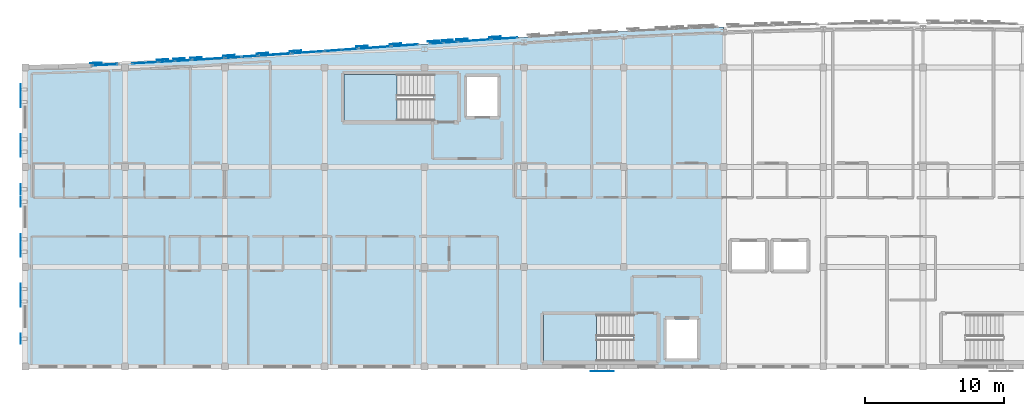
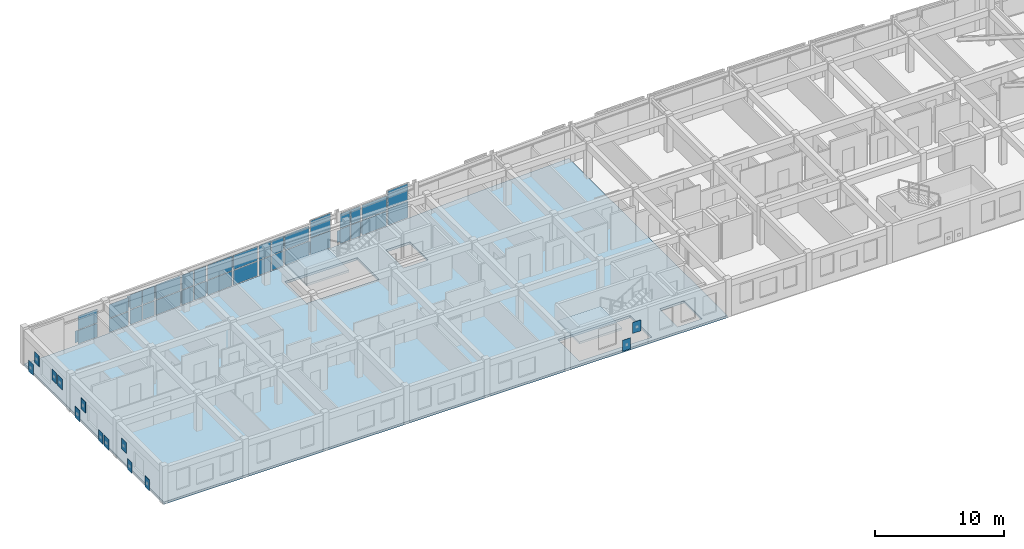
# One storey, part 22 of 34: 60 plates, 3 slabs, 15 elements without a shape of their own.
"""IFC4 building model written with IfcOpenShell, lengths in metres."""

from ifc_helpers import new_model, si_unit, direction, frame, origin, origin_2d, place, context, subcontext, project, spatial, polyline, rectangle, outline, extrude, material, layer, layer_set, type_object, element, aggregate, save


model = new_model("IFC4")

# Units and contexts
model_context = context("Model", 3, precision=1e-05, world=origin(), true_north=direction((0.0, 1.0)))
body_context = subcontext(model_context, "Body", "Model", "MODEL_VIEW")
ifc_project = project(units=[si_unit("LENGTHUNIT", "METRE"), si_unit("AREAUNIT", "SQUARE_METRE"), si_unit("VOLUMEUNIT", "CUBIC_METRE"), si_unit("PLANEANGLEUNIT", "RADIAN"), si_unit("MASSUNIT", "GRAM", prefix="KILO")], contexts=[model_context])

# Site, building, storey
site_placement = place(None, origin())
site = spatial("IfcSite", under=ifc_project, at=site_placement, CompositionType="ELEMENT")
building_placement = place(site_placement, origin())
building = spatial("IfcBuilding", under=site, at=building_placement, Name="Carrowvane Square Congress Hotel", CompositionType="ELEMENT")
storey_placement = place(building_placement, frame((0.0, 0.0, 40.800048828125)))
storey = spatial("IfcBuildingStorey", under=building, at=storey_placement, Name="L10", CompositionType="ELEMENT", Elevation=40.800048828125)

# Curtain wall, plates
ifc_material_1 = material(Name="Anodised aluminium", Category="aluminium")
ifc_layer_1 = layer(ifc_material_1, 0.23388671875)
ifc_layer_set_1 = layer_set([ifc_layer_1], Name="Anodised aluminium")
curtain_wall_type_1 = type_object("IfcCurtainWallType", Name="CW-SYS-7", PredefinedType="NOTDEFINED", material=ifc_layer_set_1)
curtain_wall_1_placement = place(storey_placement, origin())
curtain_wall_1 = element("IfcCurtainWall", 1, at=curtain_wall_1_placement, inside=storey, type_object=curtain_wall_type_1, Name="L10 unitised curtain wall 550", PredefinedType="NOTDEFINED")
ifc_material_2 = material(Name="Double-glazed low-E glass", Category="glass")
ifc_layer_2 = layer(ifc_material_2, 0.028076171875)
ifc_layer_set_2 = layer_set([ifc_layer_2], Name="Double-glazed low-E glass")
plate_type_1 = type_object("IfcPlateType", Name="CW-PAN-1", PredefinedType="CURTAIN_PANEL", material=ifc_layer_set_2)
plate_1_placement = place(storey_placement, frame((41.83154296875, 113.7294921875, 0.06005859375), z_axis=(0.0, 0.0, 1.0), x_axis=(0.998567109091, 0.053513817306, 0.0)))
plate_1 = element("IfcPlate", 2, at=plate_1_placement, type_object=plate_type_1, Name="CW-7 panel 1.1", PredefinedType="CURTAIN_PANEL", context=body_context, shape_type="SweptSolid", body=[
    extrude(rectangle(XDim=1.819580078125, YDim=0.028076171875, at=origin_2d()), origin(), (0.0, 0.0, 1.0), 1.29248046875),
])
plate_2_placement = place(storey_placement, frame((41.83154296875, 113.7294921875, 1.412353515625), z_axis=(0.0, 0.0, 1.0), x_axis=(0.998567109091, 0.053513817306, 0.0)))
plate_2 = element("IfcPlate", 3, at=plate_2_placement, type_object=plate_type_1, Name="CW-7 panel 1.2", PredefinedType="CURTAIN_PANEL", context=body_context, shape_type="SweptSolid", body=[
    extrude(rectangle(XDim=1.819580078125, YDim=0.028076171875, at=origin_2d()), origin(), (0.0, 0.0, 1.0), 1.29248046875),
])
aggregate(curtain_wall_1, [plate_1, plate_2])

ifc_material_3 = material(Name="Anodised aluminium", Category="aluminium")
ifc_layer_3 = layer(ifc_material_3, 0.197998046875)
ifc_layer_set_3 = layer_set([ifc_layer_3], Name="Anodised aluminium")
curtain_wall_type_2 = type_object("IfcCurtainWallType", Name="CW-SYS-4", PredefinedType="NOTDEFINED", material=ifc_layer_set_3)
curtain_wall_2_placement = place(storey_placement, origin())
curtain_wall_2 = element("IfcCurtainWall", 4, at=curtain_wall_2_placement, inside=storey, type_object=curtain_wall_type_2, Name="L10 unitised curtain wall 555", PredefinedType="NOTDEFINED")
plate_3_placement = place(storey_placement, frame((53.60009765625, 114.486328125, 0.06982421875), z_axis=(0.0, 0.0, 1.0), x_axis=(0.997505697746, 0.070585996942, 0.0)))
plate_3 = element("IfcPlate", 5, at=plate_3_placement, type_object=plate_type_1, Name="CW-4 panel 1.1", PredefinedType="CURTAIN_PANEL", context=body_context, shape_type="SweptSolid", body=[
    extrude(rectangle(XDim=2.26611328125, YDim=0.028076171875, at=origin_2d()), origin(), (0.0, 0.0, 1.0), 1.372802734375),
])
plate_4_placement = place(storey_placement, frame((53.60009765625, 114.486328125, 1.5126953125), z_axis=(0.0, 0.0, 1.0), x_axis=(0.997505697746, 0.070585996942, 0.0)))
plate_4 = element("IfcPlate", 6, at=plate_4_placement, type_object=plate_type_1, Name="CW-4 panel 1.2", PredefinedType="CURTAIN_PANEL", context=body_context, shape_type="SweptSolid", body=[
    extrude(rectangle(XDim=2.26611328125, YDim=0.028076171875, at=origin_2d()), origin(), (0.0, 0.0, 1.0), 1.372802734375),
])
aggregate(curtain_wall_2, [plate_3, plate_4])

ifc_material_4 = material(Name="Anodised aluminium", Category="aluminium")
ifc_layer_4 = layer(ifc_material_4, 0.162109375)
ifc_layer_set_4 = layer_set([ifc_layer_4], Name="Anodised aluminium")
curtain_wall_type_3 = type_object("IfcCurtainWallType", Name="CW-SYS-1", PredefinedType="NOTDEFINED", material=ifc_layer_set_4)
curtain_wall_3_placement = place(storey_placement, origin())
curtain_wall_3 = element("IfcCurtainWall", 7, at=curtain_wall_3_placement, inside=storey, type_object=curtain_wall_type_3, Name="L10 unitised curtain wall 560", PredefinedType="NOTDEFINED")
plate_5_placement = place(storey_placement, frame((65.599853515625, 115.33544921875, 0.06005859375), z_axis=(0.0, 0.0, 1.0), x_axis=(0.997694484404, 0.067865424104, 0.0)))
plate_5 = element("IfcPlate", 8, at=plate_5_placement, type_object=plate_type_1, Name="CW-1 panel 1.1", PredefinedType="CURTAIN_PANEL", context=body_context, shape_type="SweptSolid", body=[
    extrude(rectangle(XDim=2.285400390625, YDim=0.028076171875, at=origin_2d()), origin(), (0.0, 0.0, 1.0), 1.3876953125),
])
plate_6_placement = place(storey_placement, frame((65.599853515625, 115.33544921875, 1.5078125), z_axis=(0.0, 0.0, 1.0), x_axis=(0.997694484404, 0.067865424104, 0.0)))
plate_6 = element("IfcPlate", 9, at=plate_6_placement, type_object=plate_type_1, Name="CW-1 panel 1.2", PredefinedType="CURTAIN_PANEL", context=body_context, shape_type="SweptSolid", body=[
    extrude(rectangle(XDim=2.285400390625, YDim=0.028076171875, at=origin_2d()), origin(), (0.0, 0.0, 1.0), 1.3876953125),
])
aggregate(curtain_wall_3, [plate_5, plate_6])

ifc_material_5 = material(Name="Anodised aluminium", Category="aluminium")
ifc_layer_5 = layer(ifc_material_5, 0.24609375)
ifc_layer_set_5 = layer_set([ifc_layer_5], Name="Anodised aluminium")
curtain_wall_type_4 = type_object("IfcCurtainWallType", Name="CW-SYS-8", PredefinedType="NOTDEFINED", material=ifc_layer_set_5)
curtain_wall_4_placement = place(storey_placement, origin())
curtain_wall_4 = element("IfcCurtainWall", 10, at=curtain_wall_4_placement, inside=storey, type_object=curtain_wall_type_4, Name="L10 unitised curtain wall 551", PredefinedType="NOTDEFINED")
ifc_material_6 = material(Name="Double-glazed low-E glass", Category="glass")
ifc_layer_6 = layer(ifc_material_6, 0.031982421875)
ifc_layer_set_6 = layer_set([ifc_layer_6], Name="Double-glazed low-E glass")
plate_type_2 = type_object("IfcPlateType", Name="CW-PAN-2", PredefinedType="CURTAIN_PANEL", material=ifc_layer_set_6)
plate_7_placement = place(storey_placement, frame((43.41748046875, 113.81787109375, 0.06982421875), z_axis=(0.0, 0.0, 1.0), x_axis=(0.99825866099, 0.058988522254, 0.0)))
plate_7 = element("IfcPlate", 11, at=plate_7_placement, type_object=plate_type_2, Name="CW-8 panel 1.1", PredefinedType="CURTAIN_PANEL", context=body_context, shape_type="SweptSolid", body=[
    extrude(rectangle(XDim=1.09716796875, YDim=0.031982421875, at=origin_2d()), origin(), (0.0, 0.0, 1.0), 1.372802734375),
])
plate_8_placement = place(storey_placement, frame((43.41748046875, 113.81787109375, 1.5126953125), z_axis=(0.0, 0.0, 1.0), x_axis=(0.99825866099, 0.058988522254, 0.0)))
plate_8 = element("IfcPlate", 12, at=plate_8_placement, type_object=plate_type_2, Name="CW-8 panel 1.2", PredefinedType="CURTAIN_PANEL", context=body_context, shape_type="SweptSolid", body=[
    extrude(rectangle(XDim=1.09716796875, YDim=0.031982421875, at=origin_2d()), origin(), (0.0, 0.0, 1.0), 1.372802734375),
])
plate_9_placement = place(storey_placement, frame((44.58251953125, 113.88671875, 0.06982421875), z_axis=(0.0, 0.0, 1.0), x_axis=(0.99825866099, 0.058988522254, 0.0)))
plate_9 = element("IfcPlate", 13, at=plate_9_placement, type_object=plate_type_2, Name="CW-8 panel 2.1", PredefinedType="CURTAIN_PANEL", context=body_context, shape_type="SweptSolid", body=[
    extrude(rectangle(XDim=1.09716796875, YDim=0.031982421875, at=origin_2d()), origin(), (0.0, 0.0, 1.0), 1.372802734375),
])
plate_10_placement = place(storey_placement, frame((44.58251953125, 113.88671875, 1.5126953125), z_axis=(0.0, 0.0, 1.0), x_axis=(0.99825866099, 0.058988522254, 0.0)))
plate_10 = element("IfcPlate", 14, at=plate_10_placement, type_object=plate_type_2, Name="CW-8 panel 2.2", PredefinedType="CURTAIN_PANEL", context=body_context, shape_type="SweptSolid", body=[
    extrude(rectangle(XDim=1.09716796875, YDim=0.031982421875, at=origin_2d()), origin(), (0.0, 0.0, 1.0), 1.372802734375),
])
aggregate(curtain_wall_4, [plate_7, plate_8, plate_9, plate_10])

ifc_material_7 = material(Name="Anodised aluminium", Category="aluminium")
ifc_layer_7 = layer(ifc_material_7, 0.2099609375)
ifc_layer_set_7 = layer_set([ifc_layer_7], Name="Anodised aluminium")
curtain_wall_type_5 = type_object("IfcCurtainWallType", Name="CW-SYS-5", PredefinedType="NOTDEFINED", material=ifc_layer_set_7)
curtain_wall_5_placement = place(storey_placement, origin())
curtain_wall_5 = element("IfcCurtainWall", 15, at=curtain_wall_5_placement, inside=storey, type_object=curtain_wall_type_5, Name="L10 unitised curtain wall 556", PredefinedType="NOTDEFINED")
plate_11_placement = place(storey_placement, frame((55.4150390625, 114.615234375, 0.06005859375), z_axis=(0.0, 0.0, 1.0), x_axis=(0.997446448898, 0.071418356042, 0.0)))
plate_11 = element("IfcPlate", 16, at=plate_11_placement, type_object=plate_type_2, Name="CW-5 panel 1.1", PredefinedType="CURTAIN_PANEL", context=body_context, shape_type="SweptSolid", body=[
    extrude(rectangle(XDim=1.113037109375, YDim=0.031982421875, at=origin_2d()), origin(), (0.0, 0.0, 1.0), 1.3876953125),
])
plate_12_placement = place(storey_placement, frame((55.4150390625, 114.615234375, 1.5078125), z_axis=(0.0, 0.0, 1.0), x_axis=(0.997446448898, 0.071418356042, 0.0)))
plate_12 = element("IfcPlate", 17, at=plate_12_placement, type_object=plate_type_2, Name="CW-5 panel 1.2", PredefinedType="CURTAIN_PANEL", context=body_context, shape_type="SweptSolid", body=[
    extrude(rectangle(XDim=1.113037109375, YDim=0.031982421875, at=origin_2d()), origin(), (0.0, 0.0, 1.0), 1.3876953125),
])
plate_13_placement = place(storey_placement, frame((56.5849609375, 114.698974609375, 0.06005859375), z_axis=(0.0, 0.0, 1.0), x_axis=(0.997446448898, 0.071418356042, 0.0)))
plate_13 = element("IfcPlate", 18, at=plate_13_placement, type_object=plate_type_2, Name="CW-5 panel 2.1", PredefinedType="CURTAIN_PANEL", context=body_context, shape_type="SweptSolid", body=[
    extrude(rectangle(XDim=1.113037109375, YDim=0.031982421875, at=origin_2d()), origin(), (0.0, 0.0, 1.0), 1.3876953125),
])
plate_14_placement = place(storey_placement, frame((56.5849609375, 114.698974609375, 1.5078125), z_axis=(0.0, 0.0, 1.0), x_axis=(0.997446448898, 0.071418356042, 0.0)))
plate_14 = element("IfcPlate", 19, at=plate_14_placement, type_object=plate_type_2, Name="CW-5 panel 2.2", PredefinedType="CURTAIN_PANEL", context=body_context, shape_type="SweptSolid", body=[
    extrude(rectangle(XDim=1.113037109375, YDim=0.031982421875, at=origin_2d()), origin(), (0.0, 0.0, 1.0), 1.3876953125),
])
aggregate(curtain_wall_5, [plate_11, plate_12, plate_13, plate_14])

ifc_material_8 = material(Name="Anodised aluminium", Category="aluminium")
ifc_layer_8 = layer(ifc_material_8, 0.174072265625)
ifc_layer_set_8 = layer_set([ifc_layer_8], Name="Anodised aluminium")
curtain_wall_type_6 = type_object("IfcCurtainWallType", Name="CW-SYS-2", PredefinedType="NOTDEFINED", material=ifc_layer_set_8)
curtain_wall_6_placement = place(storey_placement, origin())
curtain_wall_6 = element("IfcCurtainWall", 20, at=curtain_wall_6_placement, inside=storey, type_object=curtain_wall_type_6, Name="L10 unitised curtain wall 561", PredefinedType="NOTDEFINED")
plate_15_placement = place(storey_placement, frame((67.795654296875, 115.482177734375, 0.070068359375), z_axis=(0.0, 0.0, 1.0), x_axis=(0.997858327155, 0.065412223074, 0.0)))
plate_15 = element("IfcPlate", 21, at=plate_15_placement, type_object=plate_type_2, Name="CW-2 panel 1.1", PredefinedType="CURTAIN_PANEL", context=body_context, shape_type="SweptSolid", body=[
    extrude(rectangle(XDim=1.855712890625, YDim=0.031982421875, at=origin_2d()), origin(), (0.0, 0.0, 1.0), 1.5849609375),
])
plate_16_placement = place(storey_placement, frame((67.795654296875, 115.482177734375, 1.724853515625), z_axis=(0.0, 0.0, 1.0), x_axis=(0.997858327155, 0.065412223074, 0.0)))
plate_16 = element("IfcPlate", 22, at=plate_16_placement, type_object=plate_type_2, Name="CW-2 panel 1.2", PredefinedType="CURTAIN_PANEL", context=body_context, shape_type="SweptSolid", body=[
    extrude(rectangle(XDim=1.855712890625, YDim=0.031982421875, at=origin_2d()), origin(), (0.0, 0.0, 1.0), 1.5849609375),
])
aggregate(curtain_wall_6, [plate_15, plate_16])

curtain_wall_7_placement = place(storey_placement, origin())
curtain_wall_7 = element("IfcCurtainWall", 23, at=curtain_wall_7_placement, inside=storey, type_object=curtain_wall_type_3, Name="L10 unitised curtain wall 552", PredefinedType="NOTDEFINED")
ifc_material_9 = material(Name="Double-glazed low-E glass", Category="glass")
ifc_layer_9 = layer(ifc_material_9, 0.035888671875)
ifc_layer_set_9 = layer_set([ifc_layer_9], Name="Double-glazed low-E glass")
plate_type_3 = type_object("IfcPlateType", Name="CW-PAN-3", PredefinedType="CURTAIN_PANEL", material=ifc_layer_set_9)
plate_17_placement = place(storey_placement, frame((46.39990234375, 113.999267578125, 0.06005859375), z_axis=(0.0, 0.0, 1.0), x_axis=(0.997996225303, 0.063273487972, 0.0)))
plate_17 = element("IfcPlate", 24, at=plate_17_placement, type_object=plate_type_3, Name="CW-1 panel 1.1", PredefinedType="CURTAIN_PANEL", context=body_context, shape_type="SweptSolid", body=[
    extrude(rectangle(XDim=2.284912109375, YDim=0.035888671875, at=origin_2d()), origin(), (0.0, 0.0, 1.0), 1.3876953125),
])
plate_18_placement = place(storey_placement, frame((46.39990234375, 113.999267578125, 1.5078125), z_axis=(0.0, 0.0, 1.0), x_axis=(0.997996225303, 0.063273487972, 0.0)))
plate_18 = element("IfcPlate", 25, at=plate_18_placement, type_object=plate_type_3, Name="CW-1 panel 1.2", PredefinedType="CURTAIN_PANEL", context=body_context, shape_type="SweptSolid", body=[
    extrude(rectangle(XDim=2.284912109375, YDim=0.035888671875, at=origin_2d()), origin(), (0.0, 0.0, 1.0), 1.3876953125),
])
aggregate(curtain_wall_7, [plate_17, plate_18])

ifc_material_10 = material(Name="Anodised aluminium", Category="aluminium")
ifc_layer_10 = layer(ifc_material_10, 0.221923828125)
ifc_layer_set_10 = layer_set([ifc_layer_10], Name="Anodised aluminium")
curtain_wall_type_7 = type_object("IfcCurtainWallType", Name="CW-SYS-6", PredefinedType="NOTDEFINED", material=ifc_layer_set_10)
curtain_wall_8_placement = place(storey_placement, origin())
curtain_wall_8 = element("IfcCurtainWall", 26, at=curtain_wall_8_placement, inside=storey, type_object=curtain_wall_type_7, Name="L10 unitised curtain wall 557", PredefinedType="NOTDEFINED")
plate_19_placement = place(storey_placement, frame((58.39990234375, 114.8291015625, 0.06982421875), z_axis=(0.0, 0.0, 1.0), x_axis=(0.997438322595, 0.071531759512, 0.0)))
plate_19 = element("IfcPlate", 27, at=plate_19_placement, type_object=plate_type_3, Name="CW-6 panel 1.1", PredefinedType="CURTAIN_PANEL", context=body_context, shape_type="SweptSolid", body=[
    extrude(rectangle(XDim=2.26611328125, YDim=0.035888671875, at=origin_2d()), origin(), (0.0, 0.0, 1.0), 1.372802734375),
])
plate_20_placement = place(storey_placement, frame((58.39990234375, 114.8291015625, 1.5126953125), z_axis=(0.0, 0.0, 1.0), x_axis=(0.997438322595, 0.071531759512, 0.0)))
plate_20 = element("IfcPlate", 28, at=plate_20_placement, type_object=plate_type_3, Name="CW-6 panel 1.2", PredefinedType="CURTAIN_PANEL", context=body_context, shape_type="SweptSolid", body=[
    extrude(rectangle(XDim=2.26611328125, YDim=0.035888671875, at=origin_2d()), origin(), (0.0, 0.0, 1.0), 1.372802734375),
])
aggregate(curtain_wall_8, [plate_19, plate_20])

curtain_wall_9_placement = place(storey_placement, origin())
curtain_wall_9 = element("IfcCurtainWall", 29, at=curtain_wall_9_placement, inside=storey, type_object=curtain_wall_type_6, Name="L10 unitised curtain wall 553", PredefinedType="NOTDEFINED")
ifc_material_11 = material(Name="Double-glazed low-E glass", Category="glass")
ifc_layer_11 = layer(ifc_material_11, 0.0419921875)
ifc_layer_set_11 = layer_set([ifc_layer_11], Name="Double-glazed low-E glass")
plate_type_4 = type_object("IfcPlateType", Name="CW-PAN-4", PredefinedType="CURTAIN_PANEL", material=ifc_layer_set_11)
plate_21_placement = place(storey_placement, frame((48.217529296875, 114.116455078125, 0.06982421875), z_axis=(0.0, 0.0, 1.0), x_axis=(0.99778121937, 0.066578061501, 0.0)))
plate_21 = element("IfcPlate", 30, at=plate_21_placement, type_object=plate_type_4, Name="CW-2 panel 1.1", PredefinedType="CURTAIN_PANEL", context=body_context, shape_type="SweptSolid", body=[
    extrude(rectangle(XDim=1.09765625, YDim=0.0419921875, at=origin_2d()), origin(), (0.0, 0.0, 1.0), 1.372802734375),
])
plate_22_placement = place(storey_placement, frame((48.217529296875, 114.116455078125, 1.5126953125), z_axis=(0.0, 0.0, 1.0), x_axis=(0.99778121937, 0.066578061501, 0.0)))
plate_22 = element("IfcPlate", 31, at=plate_22_placement, type_object=plate_type_4, Name="CW-2 panel 1.2", PredefinedType="CURTAIN_PANEL", context=body_context, shape_type="SweptSolid", body=[
    extrude(rectangle(XDim=1.09765625, YDim=0.0419921875, at=origin_2d()), origin(), (0.0, 0.0, 1.0), 1.372802734375),
])
plate_23_placement = place(storey_placement, frame((49.382568359375, 114.1943359375, 0.06982421875), z_axis=(0.0, 0.0, 1.0), x_axis=(0.99778121937, 0.066578061501, 0.0)))
plate_23 = element("IfcPlate", 32, at=plate_23_placement, type_object=plate_type_4, Name="CW-2 panel 2.1", PredefinedType="CURTAIN_PANEL", context=body_context, shape_type="SweptSolid", body=[
    extrude(rectangle(XDim=1.09765625, YDim=0.0419921875, at=origin_2d()), origin(), (0.0, 0.0, 1.0), 1.372802734375),
])
plate_24_placement = place(storey_placement, frame((49.382568359375, 114.1943359375, 1.5126953125), z_axis=(0.0, 0.0, 1.0), x_axis=(0.99778121937, 0.066578061501, 0.0)))
plate_24 = element("IfcPlate", 33, at=plate_24_placement, type_object=plate_type_4, Name="CW-2 panel 2.2", PredefinedType="CURTAIN_PANEL", context=body_context, shape_type="SweptSolid", body=[
    extrude(rectangle(XDim=1.09765625, YDim=0.0419921875, at=origin_2d()), origin(), (0.0, 0.0, 1.0), 1.372802734375),
])
aggregate(curtain_wall_9, [plate_21, plate_22, plate_23, plate_24])

curtain_wall_10_placement = place(storey_placement, origin())
curtain_wall_10 = element("IfcCurtainWall", 34, at=curtain_wall_10_placement, inside=storey, type_object=curtain_wall_type_1, Name="L10 unitised curtain wall 558", PredefinedType="NOTDEFINED")
plate_25_placement = place(storey_placement, frame((60.5947265625, 114.986083984375, 0.059814453125), z_axis=(0.0, 0.0, 1.0), x_axis=(0.997479146426, 0.070960217342, 0.0)))
plate_25 = element("IfcPlate", 35, at=plate_25_placement, type_object=plate_type_4, Name="CW-7 panel 1.1", PredefinedType="CURTAIN_PANEL", context=body_context, shape_type="SweptSolid", body=[
    extrude(rectangle(XDim=1.87451171875, YDim=0.0419921875, at=origin_2d()), origin(), (0.0, 0.0, 1.0), 1.60009765625),
])
plate_26_placement = place(storey_placement, frame((60.5947265625, 114.986083984375, 1.719970703125), z_axis=(0.0, 0.0, 1.0), x_axis=(0.997479146426, 0.070960217342, 0.0)))
plate_26 = element("IfcPlate", 36, at=plate_26_placement, type_object=plate_type_4, Name="CW-7 panel 1.2", PredefinedType="CURTAIN_PANEL", context=body_context, shape_type="SweptSolid", body=[
    extrude(rectangle(XDim=1.87451171875, YDim=0.0419921875, at=origin_2d()), origin(), (0.0, 0.0, 1.0), 1.60009765625),
])
aggregate(curtain_wall_10, [plate_25, plate_26])

curtain_wall_11_placement = place(storey_placement, origin())
curtain_wall_11 = element("IfcCurtainWall", 37, at=curtain_wall_11_placement, inside=storey, type_object=curtain_wall_type_7, Name="L10 unitised curtain wall 549", PredefinedType="NOTDEFINED")
ifc_material_12 = material(Name="Double-glazed low-E glass", Category="glass")
ifc_layer_12 = layer(ifc_material_12, 0.048095703125)
ifc_layer_set_12 = layer_set([ifc_layer_12], Name="Double-glazed low-E glass")
plate_type_5 = type_object("IfcPlateType", Name="CW-PAN-5", PredefinedType="CURTAIN_PANEL", material=ifc_layer_set_12)
plate_27_placement = place(storey_placement, frame((38.955810546875, 113.58544921875, 0.06982421875), z_axis=(0.0, 0.0, 1.0), x_axis=(0.998917263935, 0.046522035775, 0.0)))
plate_27 = element("IfcPlate", 38, at=plate_27_placement, type_object=plate_type_5, Name="CW-6 panel 1.1", PredefinedType="CURTAIN_PANEL", context=body_context, shape_type="SweptSolid", body=[
    extrude(rectangle(XDim=1.7734375, YDim=0.048095703125, at=origin_2d()), origin(), (0.0, 0.0, 1.0), 1.277587890625),
])
plate_28_placement = place(storey_placement, frame((38.955810546875, 113.58544921875, 1.41748046875), z_axis=(0.0, 0.0, 1.0), x_axis=(0.998917263935, 0.046522035775, 0.0)))
plate_28 = element("IfcPlate", 39, at=plate_28_placement, type_object=plate_type_5, Name="CW-6 panel 1.2", PredefinedType="CURTAIN_PANEL", context=body_context, shape_type="SweptSolid", body=[
    extrude(rectangle(XDim=1.7734375, YDim=0.048095703125, at=origin_2d()), origin(), (0.0, 0.0, 1.0), 1.277587890625),
])
aggregate(curtain_wall_11, [plate_27, plate_28])

ifc_material_13 = material(Name="Anodised aluminium", Category="aluminium")
ifc_layer_13 = layer(ifc_material_13, 0.18603515625)
ifc_layer_set_13 = layer_set([ifc_layer_13], Name="Anodised aluminium")
curtain_wall_type_8 = type_object("IfcCurtainWallType", Name="CW-SYS-3", PredefinedType="NOTDEFINED", material=ifc_layer_set_13)
curtain_wall_12_placement = place(storey_placement, origin())
curtain_wall_12 = element("IfcCurtainWall", 40, at=curtain_wall_12_placement, inside=storey, type_object=curtain_wall_type_8, Name="L10 unitised curtain wall 554", PredefinedType="NOTDEFINED")
plate_29_placement = place(storey_placement, frame((51.199951171875, 114.318359375, 0.06005859375), z_axis=(0.0, 0.0, 1.0), x_axis=(0.997617619706, 0.068986120725, 0.0)))
plate_29 = element("IfcPlate", 41, at=plate_29_placement, type_object=plate_type_5, Name="CW-3 panel 1.1", PredefinedType="CURTAIN_PANEL", context=body_context, shape_type="SweptSolid", body=[
    extrude(rectangle(XDim=2.28564453125, YDim=0.048095703125, at=origin_2d()), origin(), (0.0, 0.0, 1.0), 1.3876953125),
])
plate_30_placement = place(storey_placement, frame((51.199951171875, 114.318359375, 1.5078125), z_axis=(0.0, 0.0, 1.0), x_axis=(0.997617619706, 0.068986120725, 0.0)))
plate_30 = element("IfcPlate", 42, at=plate_30_placement, type_object=plate_type_5, Name="CW-3 panel 1.2", PredefinedType="CURTAIN_PANEL", context=body_context, shape_type="SweptSolid", body=[
    extrude(rectangle(XDim=2.28564453125, YDim=0.048095703125, at=origin_2d()), origin(), (0.0, 0.0, 1.0), 1.3876953125),
])
aggregate(curtain_wall_12, [plate_29, plate_30])

curtain_wall_13_placement = place(storey_placement, origin())
curtain_wall_13 = element("IfcCurtainWall", 43, at=curtain_wall_13_placement, inside=storey, type_object=curtain_wall_type_4, Name="L10 unitised curtain wall 559", PredefinedType="NOTDEFINED")
plate_31_placement = place(storey_placement, frame((62.885498046875, 115.14794921875, 0.06982421875), z_axis=(0.0, 0.0, 1.0), x_axis=(0.997566332949, 0.069723822092, 0.0)))
plate_31 = element("IfcPlate", 44, at=plate_31_placement, type_object=plate_type_5, Name="CW-8 panel 1.1", PredefinedType="CURTAIN_PANEL", context=body_context, shape_type="SweptSolid", body=[
    extrude(rectangle(XDim=0.9189453125, YDim=0.048095703125, at=origin_2d()), origin(), (0.0, 0.0, 1.0), 1.372802734375),
])
plate_32_placement = place(storey_placement, frame((62.885498046875, 115.14794921875, 1.5126953125), z_axis=(0.0, 0.0, 1.0), x_axis=(0.997566332949, 0.069723822092, 0.0)))
plate_32 = element("IfcPlate", 45, at=plate_32_placement, type_object=plate_type_5, Name="CW-8 panel 1.2", PredefinedType="CURTAIN_PANEL", context=body_context, shape_type="SweptSolid", body=[
    extrude(rectangle(XDim=0.9189453125, YDim=0.048095703125, at=origin_2d()), origin(), (0.0, 0.0, 1.0), 1.372802734375),
])
plate_33_placement = place(storey_placement, frame((63.871826171875, 115.216796875, 0.06982421875), z_axis=(0.0, 0.0, 1.0), x_axis=(0.997566332949, 0.069723822092, 0.0)))
plate_33 = element("IfcPlate", 46, at=plate_33_placement, type_object=plate_type_5, Name="CW-8 panel 2.1", PredefinedType="CURTAIN_PANEL", context=body_context, shape_type="SweptSolid", body=[
    extrude(rectangle(XDim=0.9189453125, YDim=0.048095703125, at=origin_2d()), origin(), (0.0, 0.0, 1.0), 1.372802734375),
])
plate_34_placement = place(storey_placement, frame((63.871826171875, 115.216796875, 1.5126953125), z_axis=(0.0, 0.0, 1.0), x_axis=(0.997566332949, 0.069723822092, 0.0)))
plate_34 = element("IfcPlate", 47, at=plate_34_placement, type_object=plate_type_5, Name="CW-8 panel 2.2", PredefinedType="CURTAIN_PANEL", context=body_context, shape_type="SweptSolid", body=[
    extrude(rectangle(XDim=0.9189453125, YDim=0.048095703125, at=origin_2d()), origin(), (0.0, 0.0, 1.0), 1.372802734375),
])
aggregate(curtain_wall_13, [plate_31, plate_32, plate_33, plate_34])

# Plates
ifc_material_14 = material(Name="Champagne-gold anodised aluminium", Category="aluminium")
ifc_layer_14 = layer(ifc_material_14, 0.011962890625)
ifc_layer_set_14 = layer_set([ifc_layer_14], Name="Champagne-gold anodised aluminium")
plate_type_6 = type_object("IfcPlateType", Name="PLT-PIX-GOLD12", PredefinedType="SHEET", material=ifc_layer_set_14)
for number, where, z_axis, x_axis, name in (
    (48, (38.316650390625, 113.721923828125, 0.119873046875), (0.0, 0.0, 1.0), (0.99891730083, 0.046521243556, 0.0), "Champagne-gold pixel screen plate 931"),
    (49, (43.114501953125, 113.96630859375, 1.58984375), (0.0, 0.0, 1.0), (0.998258866948, 0.05898503675, 0.0), "Champagne-gold pixel screen plate 932"),
    (50, (44.279541015625, 114.03515625, 1.58984375), (0.0, 0.0, 1.0), (0.998258866948, 0.05898503675, 0.0), "Champagne-gold pixel screen plate 933"),
    (51, (47.9130859375, 114.2626953125, 0.119873046875), (0.0, 0.0, 1.0), (0.997781458784, 0.066574473385, 0.0), "Champagne-gold pixel screen plate 935"),
    (52, (52.712158203125, 114.58984375, 1.58984375), (0.0, 0.0, 1.0), (0.997505756275, 0.070585169822, 0.0), "Champagne-gold pixel screen plate 937"),
    (53, (57.51220703125, 114.931884765625, 1.58984375), (0.0, 0.0, 1.0), (0.997438267187, 0.071532532122, 0.0), "Champagne-gold pixel screen plate 938"),
    (54, (62.669677734375, 115.299072265625, 0.119873046875), (0.0, 0.0, 1.0), (0.997566258056, 0.069724893606, 0.0), "Champagne-gold pixel screen plate 940"),
    (55, (63.65625, 115.3681640625, 1.58984375), (0.0, 0.0, 1.0), (0.997566258056, 0.069724893606, 0.0), "Champagne-gold pixel screen plate 941"),
    (56, (67.11328125, 115.603759765625, 1.58984375), (0.0, 0.0, 1.0), (0.99785825325, 0.065413350476, 0.0), "Champagne-gold pixel screen plate 943"),
):
    element("IfcPlate", number, at=place(storey_placement, frame(where, z_axis=z_axis, x_axis=x_axis)), inside=storey, type_object=plate_type_6, Name=name, PredefinedType="SHEET", context=body_context, shape_type="SweptSolid", body=[
        extrude(rectangle(XDim=0.827880859375, YDim=0.011962890625, at=origin_2d()), origin(), (0.0, 0.0, 1.0), 1.1201171875),
    ])
for number, where, z_axis, x_axis, name in (
    (57, (75.300048828125, 91.468994140625, 1.52490234375), (0.0, 0.0, 1.0), (-1.0, 0.0, 0.0), "Champagne-gold pixel screen plate S-989"),
    (58, (74.39990234375, 91.468994140625, 0.15478515625), (0.0, 0.0, 1.0), (-1.0, 0.0, 0.0), "Champagne-gold pixel screen plate S-990"),
    (59, (32.868896484375, 93.800048828125, 0.15478515625), (0.0, 0.0, 1.0), (0.0, 1.0, 0.0), "Champagne-gold pixel screen plate S-991"),
    (60, (32.868896484375, 96.5, 0.15478515625), (0.0, 0.0, 1.0), (0.0, 1.0, 0.0), "Champagne-gold pixel screen plate S-992"),
    (61, (32.868896484375, 97.39990234375, 1.52490234375), (0.0, 0.0, 1.0), (0.0, 1.0, 0.0), "Champagne-gold pixel screen plate S-993"),
    (62, (32.868896484375, 107.300048828125, 1.52490234375), (0.0, 0.0, 1.0), (0.0, 1.0, 0.0), "Champagne-gold pixel screen plate S-998"),
    (63, (32.868896484375, 108.199951171875, 1.52490234375), (0.0, 0.0, 1.0), (0.0, 1.0, 0.0), "Champagne-gold pixel screen plate S-999"),
    (64, (32.868896484375, 110.89990234375, 1.52490234375), (0.0, 0.0, 1.0), (0.0, 1.0, 0.0), "Champagne-gold pixel screen plate S-1000"),
    (65, (32.868896484375, 111.800048828125, 0.15478515625), (0.0, 0.0, 1.0), (0.0, 1.0, 0.0), "Champagne-gold pixel screen plate S-1001"),
):
    element("IfcPlate", number, at=place(storey_placement, frame(where, z_axis=z_axis, x_axis=x_axis)), inside=storey, type_object=plate_type_6, Name=name, PredefinedType="SHEET", context=body_context, shape_type="SweptSolid", body=[
        extrude(rectangle(XDim=0.738037109375, YDim=0.011962890625, at=origin_2d()), origin(), (0.0, 0.0, 1.0), 1.050048828125),
    ])
ifc_material_15 = material(Name="Champagne-gold anodised aluminium", Category="aluminium")
ifc_layer_15 = layer(ifc_material_15, 0.008056640625)
ifc_layer_set_15 = layer_set([ifc_layer_15], Name="Champagne-gold anodised aluminium")
plate_type_7 = type_object("IfcPlateType", Name="PLT-PIX-GOLD8", PredefinedType="SHEET", material=ifc_layer_set_15)
for number, where, z_axis, x_axis, name in (
    (66, (45.5087890625, 114.107177734375, 1.58984375), (0.0, 0.0, 1.0), (0.997996022269, 0.063276690295, 0.0), "Champagne-gold pixel screen plate 934"),
    (67, (50.3076171875, 114.421142578125, 0.119873046875), (0.0, 0.0, 1.0), (0.99761759323, 0.068986503591, 0.0), "Champagne-gold pixel screen plate 936"),
    (68, (59.907470703125, 115.1015625, 0.119873046875), (0.0, 0.0, 1.0), (0.997479379392, 0.070956942496, 0.0), "Champagne-gold pixel screen plate 939"),
    (69, (64.7080078125, 115.43896484375, 0.119873046875), (0.0, 0.0, 1.0), (0.9976944394, 0.067866085713, 0.0), "Champagne-gold pixel screen plate 942"),
):
    element("IfcPlate", number, at=place(storey_placement, frame(where, z_axis=z_axis, x_axis=x_axis)), inside=storey, type_object=plate_type_7, Name=name, PredefinedType="SHEET", context=body_context, shape_type="SweptSolid", body=[
        extrude(rectangle(XDim=0.827880859375, YDim=0.008056640625, at=origin_2d()), origin(), (0.0, 0.0, 1.0), 1.1201171875),
    ])
for number, where, z_axis, x_axis, name in (
    (70, (32.87109375, 100.10009765625, 0.15478515625), (0.0, 0.0, 1.0), (0.0, 1.0, 0.0), "Champagne-gold pixel screen plate S-994"),
    (71, (32.87109375, 101.0, 0.15478515625), (0.0, 0.0, 1.0), (0.0, 1.0, 0.0), "Champagne-gold pixel screen plate S-995"),
    (72, (32.87109375, 103.699951171875, 1.52490234375), (0.0, 0.0, 1.0), (0.0, 1.0, 0.0), "Champagne-gold pixel screen plate S-996"),
    (73, (32.87109375, 104.60009765625, 0.15478515625), (0.0, 0.0, 1.0), (0.0, 1.0, 0.0), "Champagne-gold pixel screen plate S-997"),
):
    element("IfcPlate", number, at=place(storey_placement, frame(where, z_axis=z_axis, x_axis=x_axis)), inside=storey, type_object=plate_type_7, Name=name, PredefinedType="SHEET", context=body_context, shape_type="SweptSolid", body=[
        extrude(rectangle(XDim=0.738037109375, YDim=0.008056640625, at=origin_2d()), origin(), (0.0, 0.0, 1.0), 1.050048828125),
    ])

# Slab
ifc_material_16 = material(Name="Concrete C35/45", Category="concrete")
ifc_layer_16 = layer(ifc_material_16, 0.219970703125)
ifc_layer_set_16 = layer_set([ifc_layer_16], Name="Concrete C35/45")
slab_type_1 = type_object("IfcSlabType", Name="SLB-FLR-220", PredefinedType="FLOOR", material=ifc_layer_set_16)
slab_1_placement = place(storey_placement, frame((0.0, 0.0, -0.219970703125)))
element("IfcSlab", 74, at=slab_1_placement, inside=storey, type_object=slab_type_1, Name="L10 Hotel Wing slab panel 1", PredefinedType="FLOOR", context=body_context, shape_type="SweptSolid", body=[
    extrude(outline(polyline([(33.199951171875, 91.800048828125), (83.60009765625, 91.800048828125), (83.60009765625, 116.323974609375), (81.199951171875, 116.2275390625), (78.800048828125, 116.118408203125), (76.39990234375, 115.99755859375), (74.0, 115.86572265625), (71.60009765625, 115.724365234375), (69.199951171875, 115.57421875), (66.800048828125, 115.4169921875), (64.39990234375, 115.253662109375), (62.0, 115.0859375), (59.60009765625, 114.915283203125), (57.199951171875, 114.7431640625), (54.800048828125, 114.5712890625), (52.39990234375, 114.4013671875), (50.0, 114.235595703125), (47.60009765625, 114.075439453125), (45.199951171875, 113.923095703125), (42.800048828125, 113.78125), (40.39990234375, 113.65283203125), (38.0, 113.541015625), (35.60009765625, 113.45166015625), (33.199951171875, 113.39990234375), (33.199951171875, 91.800048828125)]), holes=[polyline([(62.679931640625, 112.89990234375), (56.199951171875, 112.89990234375), (56.199951171875, 109.5400390625), (62.679931640625, 109.5400390625), (62.679931640625, 112.89990234375)]), polyline([(77.080078125, 95.56005859375), (70.60009765625, 95.56005859375), (70.60009765625, 92.199951171875), (77.080078125, 92.199951171875), (77.080078125, 95.56005859375)]), polyline([(65.10009765625, 109.89990234375), (67.300048828125, 109.89990234375), (67.300048828125, 112.699951171875), (65.10009765625, 112.699951171875), (65.10009765625, 109.89990234375)]), polyline([(79.5, 92.39990234375), (81.699951171875, 92.39990234375), (81.699951171875, 95.199951171875), (79.5, 95.199951171875), (79.5, 92.39990234375)])]), origin(), (0.0, 0.0, 1.0), 0.219970703125),
])

# Stair, slab
ifc_material_17 = material(Name="Concrete C35/45", Category="concrete")
stair_type = type_object("IfcStairType", Name="STR-DOG-02", PredefinedType="HALF_TURN_STAIR", material=ifc_material_17)
stair_1_placement = place(storey_placement, origin())
stair_1 = element("IfcStair", 75, at=stair_1_placement, inside=storey, type_object=stair_type, Name="L10 Core C1 West Hotel Firefighting Stair", PredefinedType="HALF_TURN_STAIR")
ifc_material_18 = material(Name="Concrete C35/45", Category="concrete")
ifc_layer_17 = layer(ifc_material_18, 0.199951171875)
ifc_layer_set_17 = layer_set([ifc_layer_17], Name="Concrete C35/45")
slab_type_2 = type_object("IfcSlabType", Name="SLB-LND-200", PredefinedType="LANDING", material=ifc_layer_set_17)
slab_2_placement = place(storey_placement, frame((0.0, 0.0, 1.599853515625)))
slab_2 = element("IfcSlab", 76, at=slab_2_placement, type_object=slab_type_2, Name="ST1 landing 1", PredefinedType="LANDING", context=body_context, shape_type="SweptSolid", body=[
    extrude(outline(polyline([(60.02001953125, 112.89990234375), (56.199951171875, 112.89990234375), (56.199951171875, 109.5400390625), (60.02001953125, 109.5400390625), (60.02001953125, 112.89990234375)])), origin(), (0.0, 0.0, 1.0), 0.2001953125),
])
aggregate(stair_1, [slab_2])

stair_2_placement = place(storey_placement, origin())
stair_2 = element("IfcStair", 77, at=stair_2_placement, inside=storey, type_object=stair_type, Name="L10 Core C2 Central Hotel Firefighting Stair", PredefinedType="HALF_TURN_STAIR")
slab_3_placement = place(storey_placement, frame((0.0, 0.0, 1.599853515625)))
slab_3 = element("IfcSlab", 78, at=slab_3_placement, type_object=slab_type_2, Name="ST2 landing 1", PredefinedType="LANDING", context=body_context, shape_type="SweptSolid", body=[
    extrude(outline(polyline([(74.419921875, 95.56005859375), (70.60009765625, 95.56005859375), (70.60009765625, 92.199951171875), (74.419921875, 92.199951171875), (74.419921875, 95.56005859375)])), origin(), (0.0, 0.0, 1.0), 0.2001953125),
])
aggregate(stair_2, [slab_3])

save(model, "model.ifc")
